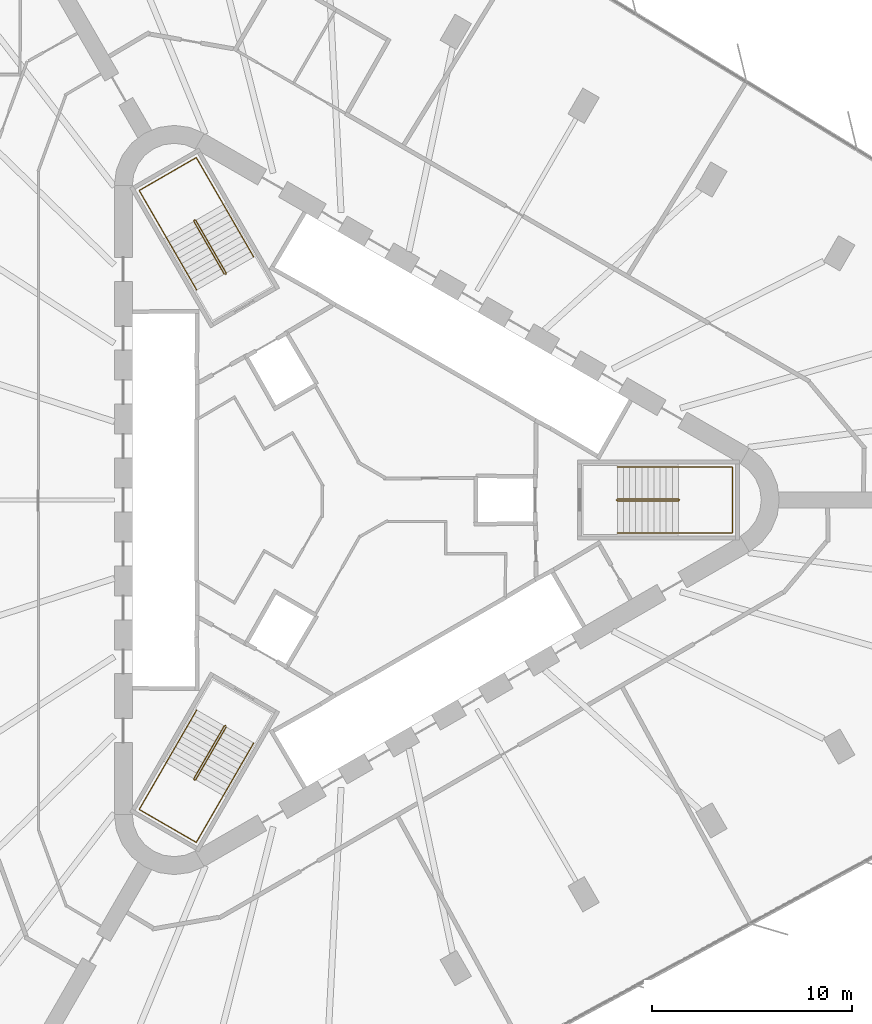
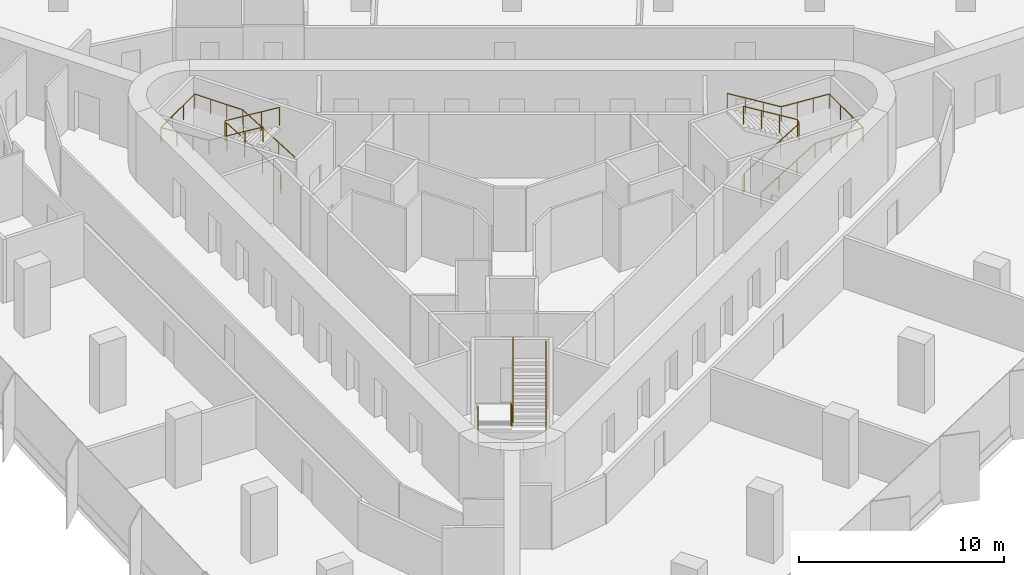
# One storey, part 14 of 14: 6 railings.
"""IFC4 building model written with IfcOpenShell, lengths in metres."""

from ifc_helpers import new_model, si_unit, direction, frame, origin, origin_2d, place, context, subcontext, project, spatial, circle, extrude, material, type_object, element, save


model = new_model("IFC4")

# Units and contexts
model_context = context("Model", 3, precision=1e-05, world=origin(), true_north=direction((0.0, 1.0)))
body_context = subcontext(model_context, "Body", "Model", "MODEL_VIEW")
ifc_project = project(units=[si_unit("LENGTHUNIT", "METRE"), si_unit("AREAUNIT", "SQUARE_METRE"), si_unit("VOLUMEUNIT", "CUBIC_METRE"), si_unit("PLANEANGLEUNIT", "RADIAN"), si_unit("MASSUNIT", "GRAM", prefix="KILO")], contexts=[model_context])

# Site, building, storey
site_placement = place(None, origin())
site = spatial("IfcSite", under=ifc_project, at=site_placement, CompositionType="ELEMENT")
building_placement = place(site_placement, origin())
building = spatial("IfcBuilding", under=site, at=building_placement, Name="Tanit Gate Tower", CompositionType="ELEMENT")
storey_placement = place(building_placement, frame((0.0, 0.0, 123.39990234375)))
storey = spatial("IfcBuildingStorey", under=building, at=storey_placement, Name="L26", CompositionType="ELEMENT", Elevation=123.39990234375)

# Railings
ifc_material_1 = material(Name="Stainless steel balustrade", Category="steel")
railing_type_1 = type_object("IfcRailingType", Name="INT-STAIR-GUARD", PredefinedType="GUARDRAIL", material=ifc_material_1)
railing_1_placement = place(storey_placement, frame((13.044921875, 0.0048828125, 0.0)))
element("IfcRailing", 1, at=railing_1_placement, inside=storey, type_object=railing_type_1, Name="L26 S1 stair guard 1", PredefinedType="GUARDRAIL", context=body_context, shape_type="SweptSolid", body=[
    extrude(circle(Radius=0.02392578125, at=origin_2d()), frame((0.0, 0.0, 1.076171875), z_axis=(0.0, -1.0, 0.0), x_axis=(1.0, 0.0, 0.0)), (0.0, 0.0, 1.0), 0.009765625),
    extrude(circle(Radius=0.02392578125, at=origin_2d()), frame((0.0, -0.009765625, 1.076171875), z_axis=(0.250869701741, -0.250869701741, 0.934948546978), x_axis=(0.707106781187, 0.707106781187, 0.0)), (0.0, 0.0, 1.0), 0.199462890625),
    extrude(circle(Radius=0.02392578125, at=origin_2d()), frame((0.050048828125, -0.059814453125, 1.2626953125), z_axis=(0.853405036568, 0.0, 0.521248351134), x_axis=(0.0, 1.0, 0.0)), (0.0, 0.0, 1.0), 3.5751953125),
    extrude(circle(Radius=0.02392578125, at=origin_2d()), frame((3.10107421875, -0.059814453125, 3.1259765625), z_axis=(0.707106781187, 0.707106781187, 0.0), x_axis=(-0.707106781187, 0.707106781187, 0.0)), (0.0, 0.0, 1.0), 0.07080078125),
    extrude(circle(Radius=0.02392578125, at=origin_2d()), frame((3.151123046875, -0.009765625, 3.1259765625), z_axis=(0.0, 1.0, 0.0), x_axis=(-1.0, 0.0, 0.0)), (0.0, 0.0, 1.0), 0.009765625),
    extrude(circle(Radius=0.02392578125, at=origin_2d()), frame((3.151123046875, 0.0, 3.1259765625), z_axis=(-0.250869701741, 0.250869701741, 0.934948546978), x_axis=(-0.707106781187, -0.707106781187, 0.0)), (0.0, 0.0, 1.0), 0.199462890625),
    extrude(circle(Radius=0.02392578125, at=origin_2d()), frame((3.10107421875, 0.050048828125, 3.3125), z_axis=(-0.853405036568, 0.0, 0.521248351134), x_axis=(0.0, -1.0, 0.0)), (0.0, 0.0, 1.0), 3.5751953125),
    extrude(circle(Radius=0.02099609375, at=origin_2d()), origin(), (0.0, 0.0, 1.0), 1.052001953125),
    extrude(circle(Radius=0.02099609375, at=origin_2d()), frame((0.0, -0.009765625, 0.0)), (0.0, 0.0, 1.0), 1.052001953125),
    extrude(circle(Radius=0.02099609375, at=origin_2d()), frame((0.050048828125, -0.059814453125, 0.1865234375)), (0.0, 0.0, 1.0), 1.052001953125),
    extrude(circle(Radius=0.02099609375, at=origin_2d()), frame((1.067138671875, -0.059814453125, 0.8076171875)), (0.0, 0.0, 1.0), 1.052001953125),
    extrude(circle(Radius=0.02099609375, at=origin_2d()), frame((2.083984375, -0.059814453125, 1.428955078125)), (0.0, 0.0, 1.0), 1.052001953125),
    extrude(circle(Radius=0.02099609375, at=origin_2d()), frame((3.10107421875, -0.059814453125, 2.050048828125)), (0.0, 0.0, 1.0), 1.052001953125),
    extrude(circle(Radius=0.02099609375, at=origin_2d()), frame((3.151123046875, -0.009765625, 2.050048828125)), (0.0, 0.0, 1.0), 1.052001953125),
    extrude(circle(Radius=0.02099609375, at=origin_2d()), frame((3.151123046875, 0.0, 2.050048828125)), (0.0, 0.0, 1.0), 1.052001953125),
    extrude(circle(Radius=0.02099609375, at=origin_2d()), frame((3.10107421875, 0.050048828125, 2.236572265625)), (0.0, 0.0, 1.0), 1.052001953125),
    extrude(circle(Radius=0.02099609375, at=origin_2d()), frame((2.083984375, 0.050048828125, 2.857666015625)), (0.0, 0.0, 1.0), 1.052001953125),
    extrude(circle(Radius=0.02099609375, at=origin_2d()), frame((1.067138671875, 0.050048828125, 3.47900390625)), (0.0, 0.0, 1.0), 1.052001953125),
    extrude(circle(Radius=0.02099609375, at=origin_2d()), frame((0.050048828125, 0.050048828125, 4.10009765625)), (0.0, 0.0, 1.0), 1.052001953125),
])
railing_2_placement = place(storey_placement, frame((-6.527099609375, 11.29345703125, 0.0)))
element("IfcRailing", 2, at=railing_2_placement, inside=storey, type_object=railing_type_1, Name="L26 S2 stair guard 1", PredefinedType="GUARDRAIL", context=body_context, shape_type="SweptSolid", body=[
    extrude(circle(Radius=0.02392578125, at=origin_2d()), frame((0.0, 0.0, 1.076171875), z_axis=(0.868243142124, 0.496138938357, 0.0), x_axis=(-0.496138938357, 0.868243142124, 0.0)), (0.0, 0.0, 1.0), 0.01171875),
    extrude(circle(Radius=0.02392578125, at=origin_2d()), frame((0.01025390625, 0.005859375, 1.076171875), z_axis=(0.09178331637, 0.342657714447, 0.934966049419), x_axis=(-0.965948051503, 0.258736085224, 0.0)), (0.0, 0.0, 1.0), 0.199462890625),
    extrude(circle(Radius=0.02392578125, at=origin_2d()), frame((0.028564453125, 0.07421875, 1.2626953125), z_axis=(-0.426651696395, 0.73893750972, 0.521478366466), x_axis=(-0.866012246495, -0.500022788402, 0.0)), (0.0, 0.0, 1.0), 3.573486328125),
    extrude(circle(Radius=0.02392578125, at=origin_2d()), frame((-1.49609375, 2.71484375, 3.1259765625), z_axis=(-0.965715946433, 0.259601060869, 0.0), x_axis=(-0.259601060869, -0.965715946433, 0.0)), (0.0, 0.0, 1.0), 0.070556640625),
    extrude(circle(Radius=0.02392578125, at=origin_2d()), frame((-1.564208984375, 2.733154296875, 3.1259765625), z_axis=(-0.873197702015, -0.487366159264, 0.0), x_axis=(0.487366159264, -0.873197702015, 0.0)), (0.0, 0.0, 1.0), 0.011962890625),
    extrude(circle(Radius=0.02392578125, at=origin_2d()), frame((-1.57470703125, 2.727294921875, 3.1259765625), z_axis=(-0.09178331637, -0.342657714447, 0.934966049419), x_axis=(0.965948051503, -0.258736085224, 0.0)), (0.0, 0.0, 1.0), 0.199462890625),
    extrude(circle(Radius=0.02392578125, at=origin_2d()), frame((-1.593017578125, 2.658935546875, 3.3125), z_axis=(0.426651696395, -0.73893750972, 0.521478366466), x_axis=(0.866012246495, 0.500022788402, 0.0)), (0.0, 0.0, 1.0), 3.573486328125),
    extrude(circle(Radius=0.02099609375, at=origin_2d()), origin(), (0.0, 0.0, 1.0), 1.052001953125),
    extrude(circle(Radius=0.02099609375, at=origin_2d()), frame((0.01025390625, 0.005859375, 0.0)), (0.0, 0.0, 1.0), 1.052001953125),
    extrude(circle(Radius=0.02099609375, at=origin_2d()), frame((0.028564453125, 0.07421875, 0.1865234375)), (0.0, 0.0, 1.0), 1.052001953125),
    extrude(circle(Radius=0.02099609375, at=origin_2d()), frame((-0.479736328125, 0.954345703125, 0.8076171875)), (0.0, 0.0, 1.0), 1.052001953125),
    extrude(circle(Radius=0.02099609375, at=origin_2d()), frame((-0.98779296875, 1.834716796875, 1.428955078125)), (0.0, 0.0, 1.0), 1.052001953125),
    extrude(circle(Radius=0.02099609375, at=origin_2d()), frame((-1.49609375, 2.71484375, 2.050048828125)), (0.0, 0.0, 1.0), 1.052001953125),
    extrude(circle(Radius=0.02099609375, at=origin_2d()), frame((-1.564208984375, 2.733154296875, 2.050048828125)), (0.0, 0.0, 1.0), 1.052001953125),
    extrude(circle(Radius=0.02099609375, at=origin_2d()), frame((-1.57470703125, 2.727294921875, 2.050048828125)), (0.0, 0.0, 1.0), 1.052001953125),
    extrude(circle(Radius=0.02099609375, at=origin_2d()), frame((-1.593017578125, 2.658935546875, 2.236572265625)), (0.0, 0.0, 1.0), 1.052001953125),
    extrude(circle(Radius=0.02099609375, at=origin_2d()), frame((-1.084716796875, 1.77880859375, 2.857666015625)), (0.0, 0.0, 1.0), 1.052001953125),
    extrude(circle(Radius=0.02099609375, at=origin_2d()), frame((-0.57666015625, 0.8984375, 3.47900390625)), (0.0, 0.0, 1.0), 1.052001953125),
    extrude(circle(Radius=0.02099609375, at=origin_2d()), frame((-0.068359375, 0.018310546875, 4.10009765625)), (0.0, 0.0, 1.0), 1.052001953125),
])
railing_3_placement = place(storey_placement, frame((-6.51806640625, -11.2998046875, 0.0)))
element("IfcRailing", 3, at=railing_3_placement, inside=storey, type_object=railing_type_1, Name="L26 S3 stair guard 1", PredefinedType="GUARDRAIL", context=body_context, shape_type="SweptSolid", body=[
    extrude(circle(Radius=0.02392578125, at=origin_2d()), frame((0.0, 0.0, 1.076171875), z_axis=(-0.874157276122, 0.485642931179, 0.0), x_axis=(-0.485642931179, -0.874157276122, 0.0)), (0.0, 0.0, 1.0), 0.010009765625),
    extrude(circle(Radius=0.02392578125, at=origin_2d()), frame((-0.0087890625, 0.0048828125, 1.076171875), z_axis=(-0.342695952383, -0.090569644558, 0.935070384359), x_axis=(0.255512919477, -0.966805641264, 0.0)), (0.0, 0.0, 1.0), 0.199462890625),
    extrude(circle(Radius=0.02392578125, at=origin_2d()), frame((-0.0771484375, -0.01318359375, 1.2626953125), z_axis=(-0.426668548982, -0.73908990167, 0.521248565042), x_axis=(0.866048339477, -0.499960272111, 0.0)), (0.0, 0.0, 1.0), 3.5751953125),
    extrude(circle(Radius=0.02392578125, at=origin_2d()), frame((-1.6025390625, -2.655517578125, 3.1259765625), z_axis=(0.258736085224, -0.965948051503, 0.0), x_axis=(0.965948051503, 0.258736085224, 0.0)), (0.0, 0.0, 1.0), 0.07080078125),
    extrude(circle(Radius=0.02392578125, at=origin_2d()), frame((-1.584228515625, -2.723876953125, 3.1259765625), z_axis=(0.868243142124, -0.496138938357, 0.0), x_axis=(0.496138938357, 0.868243142124, 0.0)), (0.0, 0.0, 1.0), 0.009765625),
    extrude(circle(Radius=0.02392578125, at=origin_2d()), frame((-1.57568359375, -2.728759765625, 3.1259765625), z_axis=(0.342657714447, 0.09178331637, 0.934966049419), x_axis=(-0.258736085224, 0.965948051503, 0.0)), (0.0, 0.0, 1.0), 0.199462890625),
    extrude(circle(Radius=0.02392578125, at=origin_2d()), frame((-1.50732421875, -2.71044921875, 3.3125), z_axis=(0.426745940485, 0.73903737685, 0.521259683745), x_axis=(-0.865993683553, 0.500054937028, 0.0)), (0.0, 0.0, 1.0), 3.574951171875),
    extrude(circle(Radius=0.02099609375, at=origin_2d()), origin(), (0.0, 0.0, 1.0), 1.052001953125),
    extrude(circle(Radius=0.02099609375, at=origin_2d()), frame((-0.0087890625, 0.0048828125, 0.0)), (0.0, 0.0, 1.0), 1.052001953125),
    extrude(circle(Radius=0.02099609375, at=origin_2d()), frame((-0.0771484375, -0.01318359375, 0.1865234375)), (0.0, 0.0, 1.0), 1.052001953125),
    extrude(circle(Radius=0.02099609375, at=origin_2d()), frame((-0.585693359375, -0.89404296875, 0.8076171875)), (0.0, 0.0, 1.0), 1.052001953125),
    extrude(circle(Radius=0.02099609375, at=origin_2d()), frame((-1.093994140625, -1.774658203125, 1.428955078125)), (0.0, 0.0, 1.0), 1.052001953125),
    extrude(circle(Radius=0.02099609375, at=origin_2d()), frame((-1.6025390625, -2.655517578125, 2.050048828125)), (0.0, 0.0, 1.0), 1.052001953125),
    extrude(circle(Radius=0.02099609375, at=origin_2d()), frame((-1.584228515625, -2.723876953125, 2.050048828125)), (0.0, 0.0, 1.0), 1.052001953125),
    extrude(circle(Radius=0.02099609375, at=origin_2d()), frame((-1.57568359375, -2.728759765625, 2.050048828125)), (0.0, 0.0, 1.0), 1.052001953125),
    extrude(circle(Radius=0.02099609375, at=origin_2d()), frame((-1.50732421875, -2.71044921875, 2.236572265625)), (0.0, 0.0, 1.0), 1.052001953125),
    extrude(circle(Radius=0.02099609375, at=origin_2d()), frame((-0.998779296875, -1.829833984375, 2.857666015625)), (0.0, 0.0, 1.0), 1.052001953125),
    extrude(circle(Radius=0.02099609375, at=origin_2d()), frame((-0.490234375, -0.948974609375, 3.47900390625)), (0.0, 0.0, 1.0), 1.052001953125),
    extrude(circle(Radius=0.02099609375, at=origin_2d()), frame((0.018310546875, -0.068359375, 4.10009765625)), (0.0, 0.0, 1.0), 1.052001953125),
])
ifc_material_2 = material(Name="Stainless steel handrail", Category="steel")
railing_type_2 = type_object("IfcRailingType", Name="INT-STAIR-HANDRAIL", PredefinedType="HANDRAIL", material=ifc_material_2)
railing_4_placement = place(storey_placement, frame((13.094970703125, -1.64990234375, 0.1865234375)))
element("IfcRailing", 4, at=railing_4_placement, inside=storey, type_object=railing_type_2, Name="L26 S1 stair handrail 1", PredefinedType="HANDRAIL", context=body_context, shape_type="SweptSolid", body=[
    extrude(circle(Radius=0.02392578125, at=origin_2d()), frame((0.0, 0.0, 0.8759765625), z_axis=(0.853405036568, 0.0, 0.521248351134), x_axis=(0.0, 1.0, 0.0)), (0.0, 0.0, 1.0), 3.5751953125),
    extrude(circle(Radius=0.02392578125, at=origin_2d()), frame((3.051025390625, 0.0, 2.7392578125), z_axis=(1.0, 0.0, 0.0), x_axis=(0.0, 1.0, 0.0)), (0.0, 0.0, 1.0), 2.7041015625),
    extrude(circle(Radius=0.02392578125, at=origin_2d()), frame((5.755126953125, 0.0, 2.7392578125), z_axis=(0.0, 1.0, 0.0), x_axis=(-1.0, 0.0, 0.0)), (0.0, 0.0, 1.0), 3.2998046875),
    extrude(circle(Radius=0.02392578125, at=origin_2d()), frame((5.755126953125, 3.2998046875, 2.7392578125), z_axis=(-0.997629475601, 0.0, 0.068814456425), x_axis=(0.0, -1.0, 0.0)), (0.0, 0.0, 1.0), 2.71044921875),
    extrude(circle(Radius=0.02392578125, at=origin_2d()), frame((3.051025390625, 3.2998046875, 2.92578125), z_axis=(-0.853405036568, 0.0, 0.521248351134), x_axis=(0.0, -1.0, 0.0)), (0.0, 0.0, 1.0), 3.5751953125),
    extrude(circle(Radius=0.02099609375, at=origin_2d()), origin(), (0.0, 0.0, 1.0), 0.851806640625),
    extrude(circle(Radius=0.02099609375, at=origin_2d()), frame((1.01708984375, 0.0, 0.62109375)), (0.0, 0.0, 1.0), 0.851806640625),
    extrude(circle(Radius=0.02099609375, at=origin_2d()), frame((2.033935546875, 0.0, 1.242431640625)), (0.0, 0.0, 1.0), 0.851806640625),
    extrude(circle(Radius=0.02099609375, at=origin_2d()), frame((3.051025390625, 0.0, 1.863525390625)), (0.0, 0.0, 1.0), 0.851806640625),
    extrude(circle(Radius=0.02099609375, at=origin_2d()), frame((3.952392578125, 0.0, 1.863525390625)), (0.0, 0.0, 1.0), 0.851806640625),
    extrude(circle(Radius=0.02099609375, at=origin_2d()), frame((4.853759765625, 0.0, 1.863525390625)), (0.0, 0.0, 1.0), 0.851806640625),
    extrude(circle(Radius=0.02099609375, at=origin_2d()), frame((5.755126953125, 0.0, 1.863525390625)), (0.0, 0.0, 1.0), 0.851806640625),
    extrude(circle(Radius=0.02099609375, at=origin_2d()), frame((5.755126953125, 1.099853515625, 1.863525390625)), (0.0, 0.0, 1.0), 0.851806640625),
    extrude(circle(Radius=0.02099609375, at=origin_2d()), frame((5.755126953125, 2.199951171875, 1.863525390625)), (0.0, 0.0, 1.0), 0.851806640625),
    extrude(circle(Radius=0.02099609375, at=origin_2d()), frame((5.755126953125, 3.2998046875, 1.863525390625)), (0.0, 0.0, 1.0), 0.851806640625),
    extrude(circle(Radius=0.02099609375, at=origin_2d()), frame((4.853759765625, 3.2998046875, 1.92578125)), (0.0, 0.0, 1.0), 0.851806640625),
    extrude(circle(Radius=0.02099609375, at=origin_2d()), frame((3.952392578125, 3.2998046875, 1.98779296875)), (0.0, 0.0, 1.0), 0.851806640625),
    extrude(circle(Radius=0.02099609375, at=origin_2d()), frame((3.051025390625, 3.2998046875, 2.050048828125)), (0.0, 0.0, 1.0), 0.851806640625),
    extrude(circle(Radius=0.02099609375, at=origin_2d()), frame((2.033935546875, 3.2998046875, 2.671142578125)), (0.0, 0.0, 1.0), 0.851806640625),
    extrude(circle(Radius=0.02099609375, at=origin_2d()), frame((1.01708984375, 3.2998046875, 3.29248046875)), (0.0, 0.0, 1.0), 0.851806640625),
    extrude(circle(Radius=0.02099609375, at=origin_2d()), frame((0.0, 3.2998046875, 3.91357421875)), (0.0, 0.0, 1.0), 0.851806640625),
])
railing_5_placement = place(storey_placement, frame((-5.1181640625, 12.164794921875, 0.1865234375)))
element("IfcRailing", 5, at=railing_5_placement, inside=storey, type_object=railing_type_2, Name="L26 S2 stair handrail 1", PredefinedType="HANDRAIL", context=body_context, shape_type="SweptSolid", body=[
    extrude(circle(Radius=0.02392578125, at=origin_2d()), frame((0.0, 0.0, 0.8759765625), z_axis=(-0.426595811233, 0.738959047773, 0.521493566166), x_axis=(-0.866046917185, -0.499962735845, 0.0)), (0.0, 0.0, 1.0), 3.573486328125),
    extrude(circle(Radius=0.02392578125, at=origin_2d()), frame((-1.5244140625, 2.640625, 2.7392578125), z_axis=(-0.500019123664, 0.86601436245, 0.0), x_axis=(-0.86601436245, -0.500019123664, 0.0)), (0.0, 0.0, 1.0), 2.70703125),
    extrude(circle(Radius=0.02392578125, at=origin_2d()), frame((-2.8779296875, 4.98486328125, 2.7392578125), z_axis=(-0.866008176907, -0.50002983664, 0.0), x_axis=(0.50002983664, -0.866008176907, 0.0)), (0.0, 0.0, 1.0), 3.300048828125),
    extrude(circle(Radius=0.02392578125, at=origin_2d()), frame((-5.73583984375, 3.334716796875, 2.7392578125), z_axis=(0.498875061953, -0.86394290581, 0.068748294973), x_axis=(0.865991810323, 0.500058181068, 0.0)), (0.0, 0.0, 1.0), 2.713134765625),
    extrude(circle(Radius=0.02392578125, at=origin_2d()), frame((-4.38232421875, 0.99072265625, 2.92578125), z_axis=(0.426630158194, -0.738968522208, 0.521452041232), x_axis=(0.866032263162, 0.499988119021, 0.0)), (0.0, 0.0, 1.0), 3.57373046875),
    extrude(circle(Radius=0.02099609375, at=origin_2d()), origin(), (0.0, 0.0, 1.0), 0.851806640625),
    extrude(circle(Radius=0.02099609375, at=origin_2d()), frame((-0.508056640625, 0.880126953125, 0.62109375)), (0.0, 0.0, 1.0), 0.851806640625),
    extrude(circle(Radius=0.02099609375, at=origin_2d()), frame((-1.016357421875, 1.760498046875, 1.242431640625)), (0.0, 0.0, 1.0), 0.851806640625),
    extrude(circle(Radius=0.02099609375, at=origin_2d()), frame((-1.5244140625, 2.640625, 1.863525390625)), (0.0, 0.0, 1.0), 0.851806640625),
    extrude(circle(Radius=0.02099609375, at=origin_2d()), frame((-1.9755859375, 3.422119140625, 1.863525390625)), (0.0, 0.0, 1.0), 0.851806640625),
    extrude(circle(Radius=0.02099609375, at=origin_2d()), frame((-2.4267578125, 4.203369140625, 1.863525390625)), (0.0, 0.0, 1.0), 0.851806640625),
    extrude(circle(Radius=0.02099609375, at=origin_2d()), frame((-2.8779296875, 4.98486328125, 1.863525390625)), (0.0, 0.0, 1.0), 0.851806640625),
    extrude(circle(Radius=0.02099609375, at=origin_2d()), frame((-3.83056640625, 4.434814453125, 1.863525390625)), (0.0, 0.0, 1.0), 0.851806640625),
    extrude(circle(Radius=0.02099609375, at=origin_2d()), frame((-4.783203125, 3.884765625, 1.863525390625)), (0.0, 0.0, 1.0), 0.851806640625),
    extrude(circle(Radius=0.02099609375, at=origin_2d()), frame((-5.73583984375, 3.334716796875, 1.863525390625)), (0.0, 0.0, 1.0), 0.851806640625),
    extrude(circle(Radius=0.02099609375, at=origin_2d()), frame((-5.28466796875, 2.553466796875, 1.92578125)), (0.0, 0.0, 1.0), 0.851806640625),
    extrude(circle(Radius=0.02099609375, at=origin_2d()), frame((-4.83349609375, 1.77197265625, 1.98779296875)), (0.0, 0.0, 1.0), 0.851806640625),
    extrude(circle(Radius=0.02099609375, at=origin_2d()), frame((-4.38232421875, 0.99072265625, 2.050048828125)), (0.0, 0.0, 1.0), 0.851806640625),
    extrude(circle(Radius=0.02099609375, at=origin_2d()), frame((-3.8740234375, 0.1103515625, 2.671142578125)), (0.0, 0.0, 1.0), 0.851806640625),
    extrude(circle(Radius=0.02099609375, at=origin_2d()), frame((-3.365966796875, -0.769775390625, 3.29248046875)), (0.0, 0.0, 1.0), 0.851806640625),
    extrude(circle(Radius=0.02099609375, at=origin_2d()), frame((-2.857666015625, -1.650146484375, 3.91357421875)), (0.0, 0.0, 1.0), 0.851806640625),
])
railing_6_placement = place(storey_placement, frame((-7.9765625, -10.515625, 0.1865234375)))
element("IfcRailing", 6, at=railing_6_placement, inside=storey, type_object=railing_type_2, Name="L26 S3 stair handrail 1", PredefinedType="HANDRAIL", context=body_context, shape_type="SweptSolid", body=[
    extrude(circle(Radius=0.02392578125, at=origin_2d()), frame((0.0, 0.0, 0.8759765625), z_axis=(-0.426668548982, -0.73908990167, 0.521248565042), x_axis=(0.866048339477, -0.499960272111, 0.0)), (0.0, 0.0, 1.0), 3.5751953125),
    extrude(circle(Radius=0.02392578125, at=origin_2d()), frame((-1.525390625, -2.642333984375, 2.7392578125), z_axis=(-0.50004290449, -0.866000631449, 0.0), x_axis=(0.866000631449, -0.50004290449, 0.0)), (0.0, 0.0, 1.0), 2.703857421875),
    extrude(circle(Radius=0.02392578125, at=origin_2d()), frame((-2.87744140625, -4.98388671875, 2.7392578125), z_axis=(0.866008176907, -0.50002983664, 0.0), x_axis=(0.50002983664, 0.866008176907, 0.0)), (0.0, 0.0, 1.0), 3.300048828125),
    extrude(circle(Radius=0.02392578125, at=origin_2d()), frame((-0.01953125, -6.634033203125, 2.7392578125), z_axis=(0.498818517556, 0.863970245648, 0.068814977864), x_axis=(-0.866023205937, 0.500003806764, 0.0)), (0.0, 0.0, 1.0), 2.71044921875),
    extrude(circle(Radius=0.02392578125, at=origin_2d()), frame((1.33251953125, -4.292236328125, 2.92578125), z_axis=(0.426668548982, 0.73908990167, 0.521248565042), x_axis=(-0.866048339477, 0.499960272111, 0.0)), (0.0, 0.0, 1.0), 3.5751953125),
    extrude(circle(Radius=0.02099609375, at=origin_2d()), origin(), (0.0, 0.0, 1.0), 0.851806640625),
    extrude(circle(Radius=0.02099609375, at=origin_2d()), frame((-0.508544921875, -0.880859375, 0.62109375)), (0.0, 0.0, 1.0), 0.851806640625),
    extrude(circle(Radius=0.02099609375, at=origin_2d()), frame((-1.016845703125, -1.761474609375, 1.242431640625)), (0.0, 0.0, 1.0), 0.851806640625),
    extrude(circle(Radius=0.02099609375, at=origin_2d()), frame((-1.525390625, -2.642333984375, 1.863525390625)), (0.0, 0.0, 1.0), 0.851806640625),
    extrude(circle(Radius=0.02099609375, at=origin_2d()), frame((-1.97607421875, -3.4228515625, 1.863525390625)), (0.0, 0.0, 1.0), 0.851806640625),
    extrude(circle(Radius=0.02099609375, at=origin_2d()), frame((-2.4267578125, -4.203369140625, 1.863525390625)), (0.0, 0.0, 1.0), 0.851806640625),
    extrude(circle(Radius=0.02099609375, at=origin_2d()), frame((-2.87744140625, -4.98388671875, 1.863525390625)), (0.0, 0.0, 1.0), 0.851806640625),
    extrude(circle(Radius=0.02099609375, at=origin_2d()), frame((-1.9248046875, -5.533935546875, 1.863525390625)), (0.0, 0.0, 1.0), 0.851806640625),
    extrude(circle(Radius=0.02099609375, at=origin_2d()), frame((-0.97216796875, -6.083984375, 1.863525390625)), (0.0, 0.0, 1.0), 0.851806640625),
    extrude(circle(Radius=0.02099609375, at=origin_2d()), frame((-0.01953125, -6.634033203125, 1.863525390625)), (0.0, 0.0, 1.0), 0.851806640625),
    extrude(circle(Radius=0.02099609375, at=origin_2d()), frame((0.43115234375, -5.853515625, 1.92578125)), (0.0, 0.0, 1.0), 0.851806640625),
    extrude(circle(Radius=0.02099609375, at=origin_2d()), frame((0.8818359375, -5.07275390625, 1.98779296875)), (0.0, 0.0, 1.0), 0.851806640625),
    extrude(circle(Radius=0.02099609375, at=origin_2d()), frame((1.33251953125, -4.292236328125, 2.050048828125)), (0.0, 0.0, 1.0), 0.851806640625),
    extrude(circle(Radius=0.02099609375, at=origin_2d()), frame((1.841064453125, -3.411376953125, 2.671142578125)), (0.0, 0.0, 1.0), 0.851806640625),
    extrude(circle(Radius=0.02099609375, at=origin_2d()), frame((2.349365234375, -2.53076171875, 3.29248046875)), (0.0, 0.0, 1.0), 0.851806640625),
    extrude(circle(Radius=0.02099609375, at=origin_2d()), frame((2.85791015625, -1.64990234375, 3.91357421875)), (0.0, 0.0, 1.0), 0.851806640625),
])

save(model, "model.ifc")
